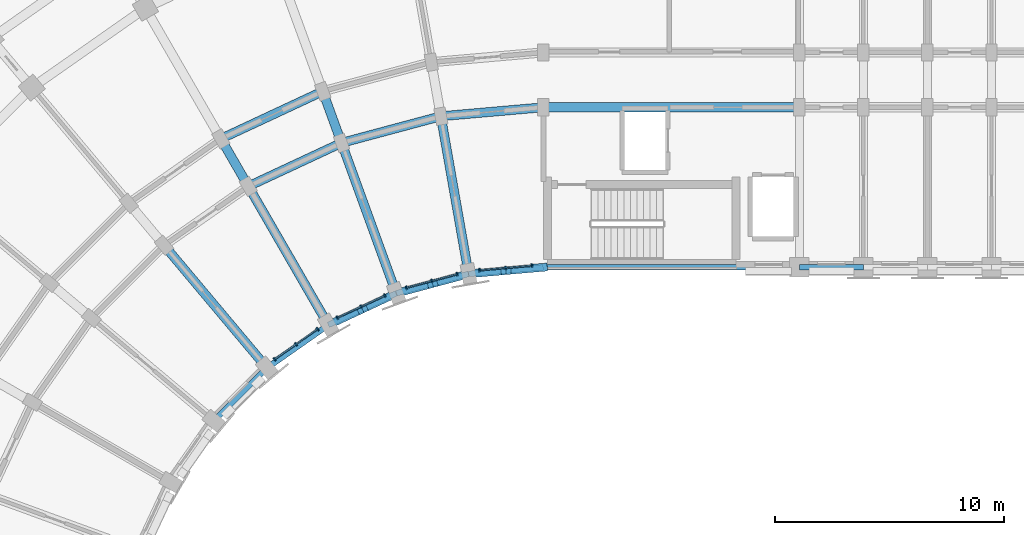
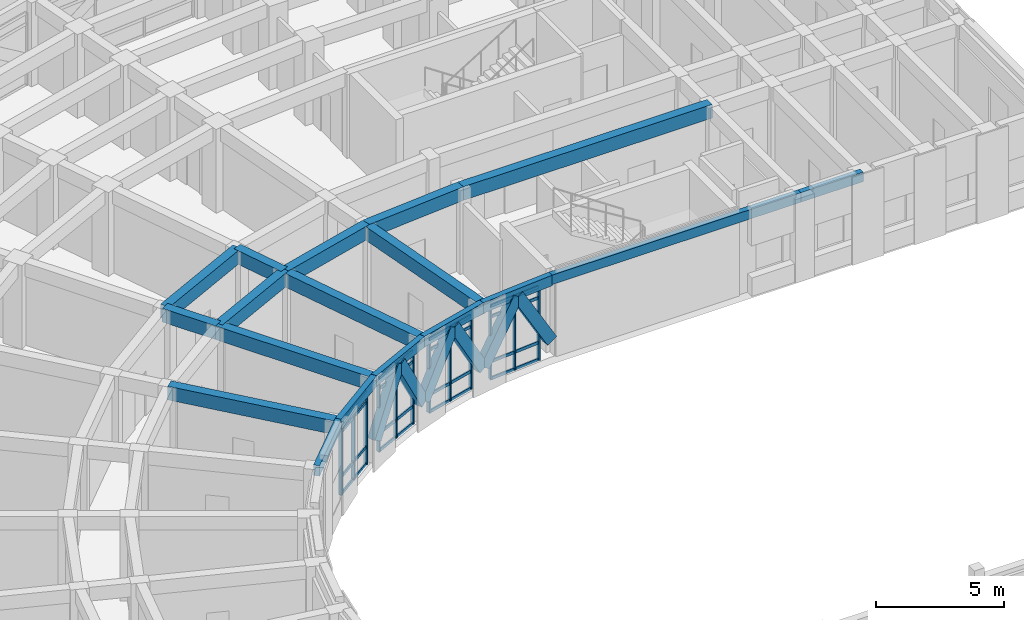
# One storey, part 24 of 97: 28 members, 24 beams, 4 elements without a shape of their own.
"""IFC4 building model written with IfcOpenShell, lengths in metres."""

from ifc_helpers import new_model, si_unit, direction, frame, origin, origin_2d, place, context, subcontext, project, spatial, rectangle, extrude, material, material_profile, profile_set, type_object, element, aggregate, save


model = new_model("IFC4")

# Units and contexts
model_context = context("Model", 3, precision=1e-05, world=origin(), true_north=direction((0.0, 1.0)))
body_context = subcontext(model_context, "Body", "Model", "MODEL_VIEW")
ifc_project = project(units=[si_unit("LENGTHUNIT", "METRE"), si_unit("AREAUNIT", "SQUARE_METRE"), si_unit("VOLUMEUNIT", "CUBIC_METRE"), si_unit("PLANEANGLEUNIT", "RADIAN"), si_unit("MASSUNIT", "GRAM", prefix="KILO")], contexts=[model_context])

# Site, building, storey
site_placement = place(None, origin())
site = spatial("IfcSite", under=ifc_project, at=site_placement, CompositionType="ELEMENT")
building_placement = place(site_placement, origin())
building = spatial("IfcBuilding", under=site, at=building_placement, Name="Kiranvali Square Residences", CompositionType="ELEMENT")
storey_placement = place(building_placement, frame((0.0, 0.0, 4.5)))
storey = spatial("IfcBuildingStorey", under=building, at=storey_placement, Name="L01", CompositionType="ELEMENT", Elevation=4.5)

# Beams
ifc_material_1 = material(Name="Concrete M40 (40 MPa)", Category="concrete")
ifc_material_profile_1 = material_profile(ifc_material_1, rectangle(XDim=0.35009765625, YDim=0.5, at=origin_2d()), Name="RC 350x500")
ifc_profile_set_1 = profile_set([ifc_material_profile_1], Name="Concrete M40 (40 MPa)")
beam_type_1 = type_object("IfcBeamType", Name="AR-M40-350x500", PredefinedType="USERDEFINED", material=ifc_profile_set_1)
beam_1_placement = place(storey_placement, frame((48.16015625, 106.596435546875, 0.89990234375), z_axis=(-0.500656395973, -0.043748910885, 0.864539881074), x_axis=(0.087051384176, -0.996203822776, 0.0)))
element("IfcBeam", 1, at=beam_1_placement, inside=storey, type_object=beam_type_1, Name="Classical pointed Ottoman arch rib ARCH-A-CRV-0-00.1", ObjectType="ARCH RIB", PredefinedType="USERDEFINED", context=body_context, shape_type="SweptSolid", body=[
    extrude(rectangle(XDim=0.35009765625, YDim=0.5, at=origin_2d()), origin(), (0.0, 0.0, 1.0), 3.180908203125),
])
for number, where, z_axis, x_axis, name in (
    (2, (46.567626953125, 106.457275390625, 3.64990234375), (-0.50059719619, -0.043827200096, -0.864570195935), (0.087216214448, -0.996189405654, 0.0), "Classical pointed Ottoman arch rib ARCH-A-CRV-0-00.2"),
    (3, (44.896728515625, 106.303955078125, 0.89990234375), (-0.485399548819, -0.130023218801, 0.864569974368), (0.258746265032, -0.965945324712, 0.0), "Classical pointed Ottoman arch rib ARCH-A-CRV-0-01.1"),
):
    element("IfcBeam", number, at=place(storey_placement, frame(where, z_axis=z_axis, x_axis=x_axis)), inside=storey, type_object=beam_type_1, Name=name, ObjectType="ARCH RIB", PredefinedType="USERDEFINED", context=body_context, shape_type="SweptSolid", body=[
        extrude(rectangle(XDim=0.35009765625, YDim=0.5, at=origin_2d()), origin(), (0.0, 0.0, 1.0), 3.1806640625),
    ])
for number, where, z_axis, x_axis, name in (
    (4, (43.352783203125, 105.890380859375, 3.64990234375), (-0.485453370353, -0.130093828102, -0.864529132593), (0.258850584986, -0.965917374651, 0.0), "Classical pointed Ottoman arch rib ARCH-A-CRV-0-01.2"),
    (5, (41.73388671875, 105.44921875, 0.89990234375), (-0.455517776274, -0.212370292662, 0.864524386176), (0.422551033128, -0.906339133218, 0.0), "Classical pointed Ottoman arch rib ARCH-A-CRV-0-02.1"),
    (6, (40.284912109375, 104.773681640625, 3.64990234375), (-0.455456947565, -0.212377717208, -0.864554610275), (0.422609524726, -0.906311861122, 0.0), "Classical pointed Ottoman arch rib ARCH-A-CRV-0-02.2"),
):
    element("IfcBeam", number, at=place(storey_placement, frame(where, z_axis=z_axis, x_axis=x_axis)), inside=storey, type_object=beam_type_1, Name=name, ObjectType="ARCH RIB", PredefinedType="USERDEFINED", context=body_context, shape_type="SweptSolid", body=[
        extrude(rectangle(XDim=0.35009765625, YDim=0.5, at=origin_2d()), origin(), (0.0, 0.0, 1.0), 3.180908203125),
    ])
ifc_material_2 = material(Name="Concrete M45 (45 MPa)", Category="concrete")
ifc_material_profile_2 = material_profile(ifc_material_2, rectangle(XDim=0.39990234375, YDim=0.64990234375, at=origin_2d()), Name="RC 400x650")
ifc_profile_set_2 = profile_set([ifc_material_profile_2], Name="Concrete M45 (45 MPa)")
beam_type_2 = type_object("IfcBeamType", Name="BM-M45-400x650", PredefinedType="BEAM", material=ifc_profile_set_2)
beam_2_placement = place(storey_placement, frame((48.199951171875, 113.60009765625, 3.655029296875), z_axis=(-0.996191949488, -0.087187153726, 0.0), x_axis=(0.087187153726, -0.996191949488, 0.0)))
element("IfcBeam", 7, at=beam_2_placement, inside=storey, type_object=beam_type_2, Name="L01 beam BM-A-L01-C00-R1", PredefinedType="BEAM", context=body_context, shape_type="SweptSolid", body=[
    extrude(rectangle(XDim=0.39990234375, YDim=0.64990234375, at=origin_2d()), origin(), (0.0, 0.0, 1.0), 4.4970703125),
])
for number, where, z_axis, x_axis, name in (
    (8, (43.719970703125, 113.2080078125, 3.655029296875), (-0.965934240054, -0.258787642463, 0.0), (0.258787642463, -0.965934240054, 0.0), "L01 beam BM-A-L01-C01-R1"),
    (9, (39.3759765625, 112.044189453125, 3.655029296875), (-0.906307919131, -0.422617978463, 0.0), (0.422617978463, -0.906307919131, 0.0), "L01 beam BM-A-L01-C02-R1"),
):
    element("IfcBeam", number, at=place(storey_placement, frame(where, z_axis=z_axis, x_axis=x_axis)), inside=storey, type_object=beam_type_2, Name=name, PredefinedType="BEAM", context=body_context, shape_type="SweptSolid", body=[
        extrude(rectangle(XDim=0.39990234375, YDim=0.64990234375, at=origin_2d()), origin(), (0.0, 0.0, 1.0), 4.497314453125),
    ])
beam_3_placement = place(storey_placement, frame((38.554931640625, 114.29931640625, 3.655029296875), z_axis=(-0.906302381024, -0.422629854778, 0.0), x_axis=(0.422629854778, -0.906302381024, 0.0)))
element("IfcBeam", 10, at=beam_3_placement, inside=storey, type_object=beam_type_2, Name="L01 beam BM-A-L01-C02-R2", PredefinedType="BEAM", context=body_context, shape_type="SweptSolid", body=[
    extrude(rectangle(XDim=0.39990234375, YDim=0.64990234375, at=origin_2d()), origin(), (0.0, 0.0, 1.0), 4.915283203125),
])
beam_4_placement = place(storey_placement, frame((44.935302734375, 106.314453125, 3.655029296875), z_axis=(-0.173622177865, 0.984812337125, 0.0), x_axis=(-0.984812337125, -0.173622177865, 0.0)))
element("IfcBeam", 11, at=beam_4_placement, inside=storey, type_object=beam_type_2, Name="L01 beam BM-A-L01-RAD01-01", PredefinedType="BEAM", context=body_context, shape_type="SweptSolid", body=[
    extrude(rectangle(XDim=0.39990234375, YDim=0.64990234375, at=origin_2d()), origin(), (0.0, 0.0, 1.0), 6.999755859375),
])
beam_5_placement = place(storey_placement, frame((41.77001953125, 105.46630859375, 3.655029296875), z_axis=(-0.342006283793, 0.939697665127, 0.0), x_axis=(-0.939697665127, -0.342006283793, 0.0)))
element("IfcBeam", 12, at=beam_5_placement, inside=storey, type_object=beam_type_2, Name="L01 beam BM-A-L01-RAD02-01", PredefinedType="BEAM", context=body_context, shape_type="SweptSolid", body=[
    extrude(rectangle(XDim=0.39990234375, YDim=0.64990234375, at=origin_2d()), origin(), (0.0, 0.0, 1.0), 7.0),
])
beam_6_placement = place(storey_placement, frame((39.3759765625, 112.044189453125, 3.655029296875), z_axis=(-0.342110593602, 0.939659694648, 0.0), x_axis=(-0.939659694648, -0.342110593602, 0.0)))
element("IfcBeam", 13, at=beam_6_placement, inside=storey, type_object=beam_type_2, Name="L01 beam BM-A-L01-RAD02-12", PredefinedType="BEAM", context=body_context, shape_type="SweptSolid", body=[
    extrude(rectangle(XDim=0.39990234375, YDim=0.64990234375, at=origin_2d()), origin(), (0.0, 0.0, 1.0), 2.39990234375),
])
beam_7_placement = place(storey_placement, frame((38.800048828125, 104.081298828125, 3.655029296875), z_axis=(-0.499995173006, 0.866028190633, 0.0), x_axis=(-0.866028190633, -0.499995173006, 0.0)))
element("IfcBeam", 14, at=beam_7_placement, inside=storey, type_object=beam_type_2, Name="L01 beam BM-A-L01-RAD03-01", PredefinedType="BEAM", context=body_context, shape_type="SweptSolid", body=[
    extrude(rectangle(XDim=0.39990234375, YDim=0.64990234375, at=origin_2d()), origin(), (0.0, 0.0, 1.0), 7.0),
])
beam_8_placement = place(storey_placement, frame((35.300048828125, 110.1435546875, 3.655029296875), z_axis=(-0.500001309137, 0.866024647952, 0.0), x_axis=(-0.866024647952, -0.500001309137, 0.0)))
element("IfcBeam", 15, at=beam_8_placement, inside=storey, type_object=beam_type_2, Name="L01 beam BM-A-L01-RAD03-12", PredefinedType="BEAM", context=body_context, shape_type="SweptSolid", body=[
    extrude(rectangle(XDim=0.39990234375, YDim=0.64990234375, at=origin_2d()), origin(), (0.0, 0.0, 1.0), 2.39990234375),
])
beam_9_placement = place(storey_placement, frame((36.115478515625, 102.20166015625, 3.655029296875), z_axis=(-0.642787931032, 0.766044173478, 0.0), x_axis=(-0.766044173478, -0.642787931032, 0.0)))
element("IfcBeam", 16, at=beam_9_placement, inside=storey, type_object=beam_type_2, Name="L01 beam BM-A-L01-RAD04-01", PredefinedType="BEAM", context=body_context, shape_type="SweptSolid", body=[
    extrude(rectangle(XDim=0.39990234375, YDim=0.64990234375, at=origin_2d()), origin(), (0.0, 0.0, 1.0), 7.0),
])
beam_10_placement = place(storey_placement, frame((48.199951171875, 113.60009765625, 3.655029296875), z_axis=(1.0, 0.0, 0.0), x_axis=(0.0, 1.0, 0.0)))
element("IfcBeam", 17, at=beam_10_placement, inside=storey, type_object=beam_type_2, Name="L01 beam BM-A-L01-A1U0-R1", PredefinedType="BEAM", context=body_context, shape_type="SweptSolid", body=[
    extrude(rectangle(XDim=0.39990234375, YDim=0.64990234375, at=origin_2d()), origin(), (0.0, 0.0, 1.0), 11.199951171875),
])

# Curtain wall, members
ifc_material_3 = material(Name="Anodised bronze aluminium framing", Category="aluminium")
curtain_wall_type = type_object("IfcCurtainWallType", Name="CW-RET-SHOP", PredefinedType="USERDEFINED", material=ifc_material_3)
curtain_wall_1_placement = place(storey_placement, origin())
curtain_wall_1 = element("IfcCurtainWall", 18, at=curtain_wall_1_placement, inside=storey, type_object=curtain_wall_type, Name="Block A L01 garden foyer curtain wall 1", ObjectType="CURTAIN WALL", PredefinedType="USERDEFINED")
ifc_material_profile_3 = material_profile(ifc_material_3, rectangle(XDim=0.06494140625, YDim=0.159912109375, at=origin_2d()), Name="ALU 65x160")
ifc_profile_set_3 = profile_set([ifc_material_profile_3], Name="Anodised bronze aluminium framing")
member_type_1 = type_object("IfcMemberType", Name="CW-MUL-160", PredefinedType="MULLION", material=ifc_profile_set_3)
member_1_placement = place(storey_placement, frame((47.701416015625, 106.6767578125, 0.02001953125), z_axis=(0.0, 0.0, 1.0), x_axis=(-0.996194698092, -0.087155742748, 0.0)))
member_1 = element("IfcMember", 19, at=member_1_placement, type_object=member_type_1, Name="CW-A-L01-GDN-00 vertical mullion 1", PredefinedType="MULLION", context=body_context, shape_type="SweptSolid", body=[
    extrude(rectangle(XDim=0.06494140625, YDim=0.159912109375, at=origin_2d()), origin(), (0.0, 0.0, 1.0), 3.489990234375),
])
member_2_placement = place(storey_placement, frame((46.55712890625, 106.57666015625, 0.02001953125), z_axis=(0.0, 0.0, 1.0), x_axis=(-0.996194698092, -0.087155742748, 0.0)))
member_2 = element("IfcMember", 20, at=member_2_placement, type_object=member_type_1, Name="CW-A-L01-GDN-00 vertical mullion 2", PredefinedType="MULLION", context=body_context, shape_type="SweptSolid", body=[
    extrude(rectangle(XDim=0.06494140625, YDim=0.159912109375, at=origin_2d()), origin(), (0.0, 0.0, 1.0), 3.489990234375),
])
member_3_placement = place(storey_placement, frame((45.4130859375, 106.4765625, 0.02001953125), z_axis=(0.0, 0.0, 1.0), x_axis=(-0.996194698092, -0.087155742748, 0.0)))
member_3 = element("IfcMember", 21, at=member_3_placement, type_object=member_type_1, Name="CW-A-L01-GDN-00 vertical mullion 3", PredefinedType="MULLION", context=body_context, shape_type="SweptSolid", body=[
    extrude(rectangle(XDim=0.06494140625, YDim=0.159912109375, at=origin_2d()), origin(), (0.0, 0.0, 1.0), 3.489990234375),
])

curtain_wall_2_placement = place(storey_placement, origin())
curtain_wall_2 = element("IfcCurtainWall", 22, at=curtain_wall_2_placement, inside=storey, type_object=curtain_wall_type, Name="Block A L01 garden foyer curtain wall 2", ObjectType="CURTAIN WALL", PredefinedType="USERDEFINED")
member_4_placement = place(storey_placement, frame((44.43115234375, 106.303466796875, 0.02001953125), z_axis=(0.0, 0.0, 1.0), x_axis=(-0.965925826289, -0.258819045103, 0.0)))
member_4 = element("IfcMember", 23, at=member_4_placement, type_object=member_type_1, Name="CW-A-L01-GDN-01 vertical mullion 1", PredefinedType="MULLION", context=body_context, shape_type="SweptSolid", body=[
    extrude(rectangle(XDim=0.06494140625, YDim=0.159912109375, at=origin_2d()), origin(), (0.0, 0.0, 1.0), 3.489990234375),
])
member_5_placement = place(storey_placement, frame((43.32177734375, 106.006103515625, 0.02001953125), z_axis=(0.0, 0.0, 1.0), x_axis=(-0.965925826289, -0.258819045103, 0.0)))
member_5 = element("IfcMember", 24, at=member_5_placement, type_object=member_type_1, Name="CW-A-L01-GDN-01 vertical mullion 2", PredefinedType="MULLION", context=body_context, shape_type="SweptSolid", body=[
    extrude(rectangle(XDim=0.06494140625, YDim=0.159912109375, at=origin_2d()), origin(), (0.0, 0.0, 1.0), 3.489990234375),
])
member_6_placement = place(storey_placement, frame((42.212158203125, 105.708984375, 0.02001953125), z_axis=(0.0, 0.0, 1.0), x_axis=(-0.965925826289, -0.258819045103, 0.0)))
member_6 = element("IfcMember", 25, at=member_6_placement, type_object=member_type_1, Name="CW-A-L01-GDN-01 vertical mullion 3", PredefinedType="MULLION", context=body_context, shape_type="SweptSolid", body=[
    extrude(rectangle(XDim=0.06494140625, YDim=0.159912109375, at=origin_2d()), origin(), (0.0, 0.0, 1.0), 3.489990234375),
])

curtain_wall_3_placement = place(storey_placement, origin())
curtain_wall_3 = element("IfcCurtainWall", 26, at=curtain_wall_3_placement, inside=storey, type_object=curtain_wall_type, Name="Block A L01 garden foyer curtain wall 3", ObjectType="CURTAIN WALL", PredefinedType="USERDEFINED")
member_7_placement = place(storey_placement, frame((41.275146484375, 105.367919921875, 0.02001953125), z_axis=(0.0, 0.0, 1.0), x_axis=(-0.906307787037, -0.422618261741, 0.0)))
member_7 = element("IfcMember", 27, at=member_7_placement, type_object=member_type_1, Name="CW-A-L01-GDN-02 vertical mullion 1", PredefinedType="MULLION", context=body_context, shape_type="SweptSolid", body=[
    extrude(rectangle(XDim=0.06494140625, YDim=0.159912109375, at=origin_2d()), origin(), (0.0, 0.0, 1.0), 3.489990234375),
])
member_8_placement = place(storey_placement, frame((40.234375, 104.882568359375, 0.02001953125), z_axis=(0.0, 0.0, 1.0), x_axis=(-0.906307787037, -0.422618261741, 0.0)))
member_8 = element("IfcMember", 28, at=member_8_placement, type_object=member_type_1, Name="CW-A-L01-GDN-02 vertical mullion 2", PredefinedType="MULLION", context=body_context, shape_type="SweptSolid", body=[
    extrude(rectangle(XDim=0.06494140625, YDim=0.159912109375, at=origin_2d()), origin(), (0.0, 0.0, 1.0), 3.489990234375),
])
member_9_placement = place(storey_placement, frame((39.193359375, 104.397216796875, 0.02001953125), z_axis=(0.0, 0.0, 1.0), x_axis=(-0.906307787037, -0.422618261741, 0.0)))
member_9 = element("IfcMember", 29, at=member_9_placement, type_object=member_type_1, Name="CW-A-L01-GDN-02 vertical mullion 3", PredefinedType="MULLION", context=body_context, shape_type="SweptSolid", body=[
    extrude(rectangle(XDim=0.06494140625, YDim=0.159912109375, at=origin_2d()), origin(), (0.0, 0.0, 1.0), 3.489990234375),
])

curtain_wall_4_placement = place(storey_placement, origin())
curtain_wall_4 = element("IfcCurtainWall", 30, at=curtain_wall_4_placement, inside=storey, type_object=curtain_wall_type, Name="Block A L01 garden foyer curtain wall 4", ObjectType="CURTAIN WALL", PredefinedType="USERDEFINED")
member_10_placement = place(storey_placement, frame((38.329833984375, 103.8984375, 0.02001953125), z_axis=(0.0, 0.0, 1.0), x_axis=(-0.819152044289, -0.573576436351, 0.0)))
member_10 = element("IfcMember", 31, at=member_10_placement, type_object=member_type_1, Name="CW-A-L01-GDN-03 vertical mullion 1", PredefinedType="MULLION", context=body_context, shape_type="SweptSolid", body=[
    extrude(rectangle(XDim=0.06494140625, YDim=0.159912109375, at=origin_2d()), origin(), (0.0, 0.0, 1.0), 3.489990234375),
])
member_11_placement = place(storey_placement, frame((37.388916015625, 103.23974609375, 0.02001953125), z_axis=(0.0, 0.0, 1.0), x_axis=(-0.819152044289, -0.573576436351, 0.0)))
member_11 = element("IfcMember", 32, at=member_11_placement, type_object=member_type_1, Name="CW-A-L01-GDN-03 vertical mullion 2", PredefinedType="MULLION", context=body_context, shape_type="SweptSolid", body=[
    extrude(rectangle(XDim=0.06494140625, YDim=0.159912109375, at=origin_2d()), origin(), (0.0, 0.0, 1.0), 3.489990234375),
])
member_12_placement = place(storey_placement, frame((36.4482421875, 102.5810546875, 0.02001953125), z_axis=(0.0, 0.0, 1.0), x_axis=(-0.819152044289, -0.573576436351, 0.0)))
member_12 = element("IfcMember", 33, at=member_12_placement, type_object=member_type_1, Name="CW-A-L01-GDN-03 vertical mullion 3", PredefinedType="MULLION", context=body_context, shape_type="SweptSolid", body=[
    extrude(rectangle(XDim=0.06494140625, YDim=0.159912109375, at=origin_2d()), origin(), (0.0, 0.0, 1.0), 3.489990234375),
])

# Member
ifc_material_profile_4 = material_profile(ifc_material_3, rectangle(XDim=0.06494140625, YDim=0.139892578125, at=origin_2d()), Name="ALU 65x140")
ifc_profile_set_4 = profile_set([ifc_material_profile_4], Name="Anodised bronze aluminium framing")
member_type_2 = type_object("IfcMemberType", Name="CW-TRN-140", PredefinedType="MULLION", material=ifc_profile_set_4)
member_13_placement = place(storey_placement, frame((47.69140625, 106.676025390625, 0.0400390625), z_axis=(-0.996193368341, -0.08717094053, 0.0), x_axis=(0.08717094053, -0.996193368341, 0.0)))
member_13 = element("IfcMember", 34, at=member_13_placement, type_object=member_type_2, Name="CW-A-L01-GDN-00 horizontal transom 1", PredefinedType="MULLION", context=body_context, shape_type="SweptSolid", body=[
    extrude(rectangle(XDim=0.06494140625, YDim=0.139892578125, at=origin_2d()), origin(), (0.0, 0.0, 1.0), 2.277099609375),
])

member_14_placement = place(storey_placement, frame((47.69140625, 106.676025390625, 0.85009765625), z_axis=(-0.996193368341, -0.08717094053, 0.0), x_axis=(0.08717094053, -0.996193368341, 0.0)))
member_14 = element("IfcMember", 35, at=member_14_placement, type_object=member_type_2, Name="CW-A-L01-GDN-00 horizontal transom 2", PredefinedType="MULLION", context=body_context, shape_type="SweptSolid", body=[
    extrude(rectangle(XDim=0.06494140625, YDim=0.139892578125, at=origin_2d()), origin(), (0.0, 0.0, 1.0), 2.277099609375),
])

member_15_placement = place(storey_placement, frame((47.69140625, 106.676025390625, 2.97998046875), z_axis=(-0.996193368341, -0.08717094053, 0.0), x_axis=(0.08717094053, -0.996193368341, 0.0)))
member_15 = element("IfcMember", 36, at=member_15_placement, type_object=member_type_2, Name="CW-A-L01-GDN-00 horizontal transom 3", PredefinedType="MULLION", context=body_context, shape_type="SweptSolid", body=[
    extrude(rectangle(XDim=0.06494140625, YDim=0.139892578125, at=origin_2d()), origin(), (0.0, 0.0, 1.0), 2.277099609375),
])

member_16_placement = place(storey_placement, frame((47.69140625, 106.676025390625, 3.489990234375), z_axis=(-0.996193368341, -0.08717094053, 0.0), x_axis=(0.08717094053, -0.996193368341, 0.0)))
member_16 = element("IfcMember", 37, at=member_16_placement, type_object=member_type_2, Name="CW-A-L01-GDN-00 horizontal transom 4", PredefinedType="MULLION", context=body_context, shape_type="SweptSolid", body=[
    extrude(rectangle(XDim=0.06494140625, YDim=0.139892578125, at=origin_2d()), origin(), (0.0, 0.0, 1.0), 2.277099609375),
])

aggregate(curtain_wall_1, [member_1, member_2, member_3, member_13, member_14, member_15, member_16])

member_17_placement = place(storey_placement, frame((44.42138671875, 106.30078125, 0.0400390625), z_axis=(-0.965924600635, -0.258823619262, 0.0), x_axis=(0.258823619262, -0.965924600635, 0.0)))
member_17 = element("IfcMember", 38, at=member_17_placement, type_object=member_type_2, Name="CW-A-L01-GDN-01 horizontal transom 1", PredefinedType="MULLION", context=body_context, shape_type="SweptSolid", body=[
    extrude(rectangle(XDim=0.06494140625, YDim=0.139892578125, at=origin_2d()), origin(), (0.0, 0.0, 1.0), 2.277099609375),
])

member_18_placement = place(storey_placement, frame((44.42138671875, 106.30078125, 0.85009765625), z_axis=(-0.965924600635, -0.258823619262, 0.0), x_axis=(0.258823619262, -0.965924600635, 0.0)))
member_18 = element("IfcMember", 39, at=member_18_placement, type_object=member_type_2, Name="CW-A-L01-GDN-01 horizontal transom 2", PredefinedType="MULLION", context=body_context, shape_type="SweptSolid", body=[
    extrude(rectangle(XDim=0.06494140625, YDim=0.139892578125, at=origin_2d()), origin(), (0.0, 0.0, 1.0), 2.277099609375),
])

member_19_placement = place(storey_placement, frame((44.42138671875, 106.30078125, 2.97998046875), z_axis=(-0.965924600635, -0.258823619262, 0.0), x_axis=(0.258823619262, -0.965924600635, 0.0)))
member_19 = element("IfcMember", 40, at=member_19_placement, type_object=member_type_2, Name="CW-A-L01-GDN-01 horizontal transom 3", PredefinedType="MULLION", context=body_context, shape_type="SweptSolid", body=[
    extrude(rectangle(XDim=0.06494140625, YDim=0.139892578125, at=origin_2d()), origin(), (0.0, 0.0, 1.0), 2.277099609375),
])

member_20_placement = place(storey_placement, frame((44.42138671875, 106.30078125, 3.489990234375), z_axis=(-0.965924600635, -0.258823619262, 0.0), x_axis=(0.258823619262, -0.965924600635, 0.0)))
member_20 = element("IfcMember", 41, at=member_20_placement, type_object=member_type_2, Name="CW-A-L01-GDN-01 horizontal transom 4", PredefinedType="MULLION", context=body_context, shape_type="SweptSolid", body=[
    extrude(rectangle(XDim=0.06494140625, YDim=0.139892578125, at=origin_2d()), origin(), (0.0, 0.0, 1.0), 2.277099609375),
])

aggregate(curtain_wall_2, [member_4, member_5, member_6, member_17, member_18, member_19, member_20])

member_21_placement = place(storey_placement, frame((41.26611328125, 105.36376953125, 0.0400390625), z_axis=(-0.906295410754, -0.42264480175, 0.0), x_axis=(0.42264480175, -0.906295410754, 0.0)))
member_21 = element("IfcMember", 42, at=member_21_placement, type_object=member_type_2, Name="CW-A-L01-GDN-02 horizontal transom 1", PredefinedType="MULLION", context=body_context, shape_type="SweptSolid", body=[
    extrude(rectangle(XDim=0.06494140625, YDim=0.139892578125, at=origin_2d()), origin(), (0.0, 0.0, 1.0), 2.277099609375),
])

member_22_placement = place(storey_placement, frame((41.26611328125, 105.36376953125, 0.85009765625), z_axis=(-0.906295410754, -0.42264480175, 0.0), x_axis=(0.42264480175, -0.906295410754, 0.0)))
member_22 = element("IfcMember", 43, at=member_22_placement, type_object=member_type_2, Name="CW-A-L01-GDN-02 horizontal transom 2", PredefinedType="MULLION", context=body_context, shape_type="SweptSolid", body=[
    extrude(rectangle(XDim=0.06494140625, YDim=0.139892578125, at=origin_2d()), origin(), (0.0, 0.0, 1.0), 2.277099609375),
])

member_23_placement = place(storey_placement, frame((41.26611328125, 105.36376953125, 2.97998046875), z_axis=(-0.906295410754, -0.42264480175, 0.0), x_axis=(0.42264480175, -0.906295410754, 0.0)))
member_23 = element("IfcMember", 44, at=member_23_placement, type_object=member_type_2, Name="CW-A-L01-GDN-02 horizontal transom 3", PredefinedType="MULLION", context=body_context, shape_type="SweptSolid", body=[
    extrude(rectangle(XDim=0.06494140625, YDim=0.139892578125, at=origin_2d()), origin(), (0.0, 0.0, 1.0), 2.277099609375),
])

member_24_placement = place(storey_placement, frame((41.26611328125, 105.36376953125, 3.489990234375), z_axis=(-0.906295410754, -0.42264480175, 0.0), x_axis=(0.42264480175, -0.906295410754, 0.0)))
member_24 = element("IfcMember", 45, at=member_24_placement, type_object=member_type_2, Name="CW-A-L01-GDN-02 horizontal transom 4", PredefinedType="MULLION", context=body_context, shape_type="SweptSolid", body=[
    extrude(rectangle(XDim=0.06494140625, YDim=0.139892578125, at=origin_2d()), origin(), (0.0, 0.0, 1.0), 2.277099609375),
])

aggregate(curtain_wall_3, [member_7, member_8, member_9, member_21, member_22, member_23, member_24])

member_25_placement = place(storey_placement, frame((38.321533203125, 103.892822265625, 0.0400390625), z_axis=(-0.819131167898, -0.573606249772, 0.0), x_axis=(0.573606249772, -0.819131167898, 0.0)))
member_25 = element("IfcMember", 46, at=member_25_placement, type_object=member_type_2, Name="CW-A-L01-GDN-03 horizontal transom 1", PredefinedType="MULLION", context=body_context, shape_type="SweptSolid", body=[
    extrude(rectangle(XDim=0.06494140625, YDim=0.139892578125, at=origin_2d()), origin(), (0.0, 0.0, 1.0), 2.277099609375),
])

member_26_placement = place(storey_placement, frame((38.321533203125, 103.892822265625, 0.85009765625), z_axis=(-0.819131167898, -0.573606249772, 0.0), x_axis=(0.573606249772, -0.819131167898, 0.0)))
member_26 = element("IfcMember", 47, at=member_26_placement, type_object=member_type_2, Name="CW-A-L01-GDN-03 horizontal transom 2", PredefinedType="MULLION", context=body_context, shape_type="SweptSolid", body=[
    extrude(rectangle(XDim=0.06494140625, YDim=0.139892578125, at=origin_2d()), origin(), (0.0, 0.0, 1.0), 2.277099609375),
])

member_27_placement = place(storey_placement, frame((38.321533203125, 103.892822265625, 2.97998046875), z_axis=(-0.819131167898, -0.573606249772, 0.0), x_axis=(0.573606249772, -0.819131167898, 0.0)))
member_27 = element("IfcMember", 48, at=member_27_placement, type_object=member_type_2, Name="CW-A-L01-GDN-03 horizontal transom 3", PredefinedType="MULLION", context=body_context, shape_type="SweptSolid", body=[
    extrude(rectangle(XDim=0.06494140625, YDim=0.139892578125, at=origin_2d()), origin(), (0.0, 0.0, 1.0), 2.277099609375),
])

member_28_placement = place(storey_placement, frame((38.321533203125, 103.892822265625, 3.489990234375), z_axis=(-0.819131167898, -0.573606249772, 0.0), x_axis=(0.573606249772, -0.819131167898, 0.0)))
member_28 = element("IfcMember", 49, at=member_28_placement, type_object=member_type_2, Name="CW-A-L01-GDN-03 horizontal transom 4", PredefinedType="MULLION", context=body_context, shape_type="SweptSolid", body=[
    extrude(rectangle(XDim=0.06494140625, YDim=0.139892578125, at=origin_2d()), origin(), (0.0, 0.0, 1.0), 2.277099609375),
])

aggregate(curtain_wall_4, [member_10, member_11, member_12, member_25, member_26, member_27, member_28])

# Beams
ifc_material_profile_5 = material_profile(ifc_material_1, rectangle(XDim=0.25, YDim=0.449951171875, at=origin_2d()), Name="RC 250x450")
ifc_profile_set_5 = profile_set([ifc_material_profile_5], Name="Concrete M40 (40 MPa)")
beam_type_3 = type_object("IfcBeamType", Name="SPN-M40-250x450", PredefinedType="SPANDREL", material=ifc_profile_set_5)
beam_11_placement = place(storey_placement, frame((48.199951171875, 106.60009765625, 3.7548828125), z_axis=(1.0, 0.0, 0.0), x_axis=(0.0, 1.0, 0.0)))
element("IfcBeam", 50, at=beam_11_placement, inside=storey, type_object=beam_type_3, Name="L01 beam BM-A-L01-A1U0-R0", PredefinedType="SPANDREL", context=body_context, shape_type="SweptSolid", body=[
    extrude(rectangle(XDim=0.25, YDim=0.449951171875, at=origin_2d()), origin(), (0.0, 0.0, 1.0), 11.199951171875),
])
beam_12_placement = place(storey_placement, frame((59.39990234375, 106.60009765625, 3.7548828125), z_axis=(1.0, 0.0, 0.0), x_axis=(0.0, 1.0, 0.0)))
element("IfcBeam", 51, at=beam_12_placement, inside=storey, type_object=beam_type_3, Name="L01 beam BM-A-L01-A1U1-R0", PredefinedType="SPANDREL", context=body_context, shape_type="SweptSolid", body=[
    extrude(rectangle(XDim=0.25, YDim=0.449951171875, at=origin_2d()), origin(), (0.0, 0.0, 1.0), 2.800048828125),
])
ifc_material_profile_6 = material_profile(ifc_material_1, rectangle(XDim=0.25, YDim=0.5, at=origin_2d()), Name="RC 250x500")
ifc_profile_set_6 = profile_set([ifc_material_profile_6], Name="Concrete M40 (40 MPa)")
beam_type_4 = type_object("IfcBeamType", Name="SPN-M40-250x500", PredefinedType="SPANDREL", material=ifc_profile_set_6)
beam_13_placement = place(storey_placement, frame((48.199951171875, 106.60009765625, 3.72998046875), z_axis=(-0.996194040944, -0.087163253657, 0.0), x_axis=(0.087163253657, -0.996194040944, 0.0)))
element("IfcBeam", 52, at=beam_13_placement, inside=storey, type_object=beam_type_4, Name="L01 beam BM-A-L01-C00-R0", PredefinedType="SPANDREL", context=body_context, shape_type="SweptSolid", body=[
    extrude(rectangle(XDim=0.25, YDim=0.5, at=origin_2d()), origin(), (0.0, 0.0, 1.0), 3.277099609375),
])
beam_14_placement = place(storey_placement, frame((44.935302734375, 106.314453125, 3.72998046875), z_axis=(-0.965925105099, -0.258821736607, 0.0), x_axis=(0.258821736607, -0.965925105099, 0.0)))
element("IfcBeam", 53, at=beam_14_placement, inside=storey, type_object=beam_type_4, Name="L01 beam BM-A-L01-C01-R0", PredefinedType="SPANDREL", context=body_context, shape_type="SweptSolid", body=[
    extrude(rectangle(XDim=0.25, YDim=0.5, at=origin_2d()), origin(), (0.0, 0.0, 1.0), 3.27685546875),
])
for number, where, z_axis, x_axis, name in (
    (54, (41.77001953125, 105.46630859375, 3.72998046875), (-0.90629730464, -0.422640740585, 0.0), (0.422640740585, -0.90629730464, 0.0), "L01 beam BM-A-L01-C02-R0"),
    (55, (38.800048828125, 104.081298828125, 3.72998046875), (-0.81916891812, -0.573552337269, 0.0), (0.573552337269, -0.81916891812, 0.0), "L01 beam BM-A-L01-C03-R0"),
):
    element("IfcBeam", number, at=place(storey_placement, frame(where, z_axis=z_axis, x_axis=x_axis)), inside=storey, type_object=beam_type_4, Name=name, PredefinedType="SPANDREL", context=body_context, shape_type="SweptSolid", body=[
        extrude(rectangle(XDim=0.25, YDim=0.5, at=origin_2d()), origin(), (0.0, 0.0, 1.0), 3.277099609375),
    ])
beam_15_placement = place(storey_placement, frame((36.115478515625, 102.20166015625, 3.72998046875), z_axis=(-0.707106781187, -0.707106781187, 0.0), x_axis=(0.707106781187, -0.707106781187, 0.0)))
element("IfcBeam", 56, at=beam_15_placement, inside=storey, type_object=beam_type_4, Name="L01 beam BM-A-L01-C04-R0", PredefinedType="SPANDREL", context=body_context, shape_type="SweptSolid", body=[
    extrude(rectangle(XDim=0.25, YDim=0.5, at=origin_2d()), origin(), (0.0, 0.0, 1.0), 3.27685546875),
])

save(model, "model.ifc")
